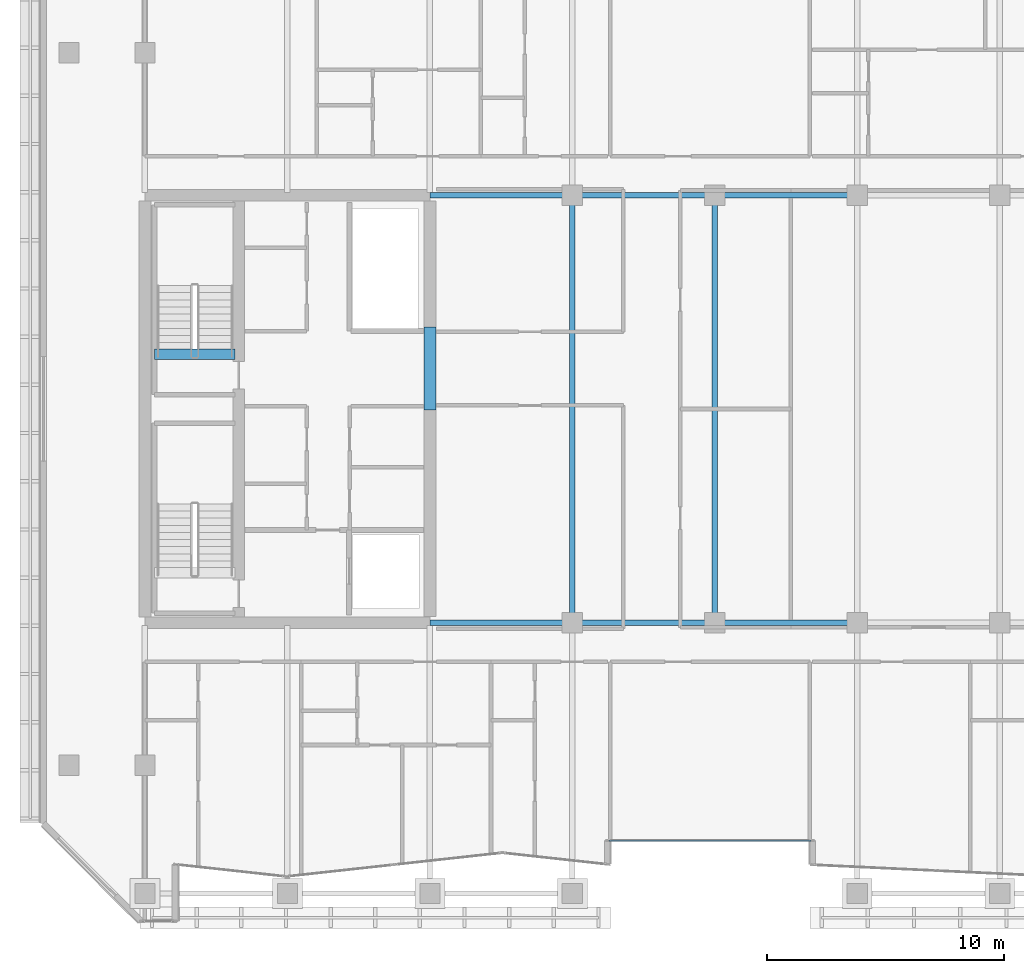
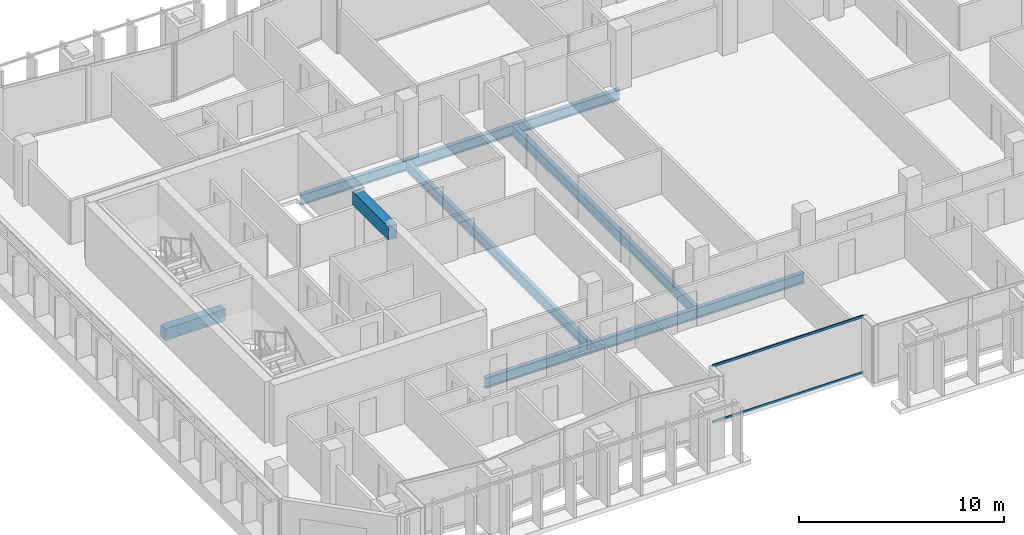
# One storey, part 4 of 29: 10 beams, 2 members, 1 element without a shape of its own.
"""IFC4 building model written with IfcOpenShell, lengths in metres."""

from ifc_helpers import new_model, si_unit, direction, frame, origin, origin_2d, place, context, subcontext, project, spatial, rectangle, hollow_rectangle, i_section, extrude, material, layer, layer_set, material_profile, profile_set, type_object, element, aggregate, save


model = new_model("IFC4")

# Units and contexts
model_context = context("Model", 3, precision=1e-05, world=origin(), true_north=direction((0.0, 1.0)))
body_context = subcontext(model_context, "Body", "Model", "MODEL_VIEW")
ifc_project = project(units=[si_unit("LENGTHUNIT", "METRE"), si_unit("AREAUNIT", "SQUARE_METRE"), si_unit("VOLUMEUNIT", "CUBIC_METRE"), si_unit("PLANEANGLEUNIT", "RADIAN"), si_unit("MASSUNIT", "GRAM", prefix="KILO")], contexts=[model_context])

# Site, building, storey
site_placement = place(None, origin())
site = spatial("IfcSite", under=ifc_project, at=site_placement, CompositionType="ELEMENT")
building_placement = place(site_placement, origin())
building = spatial("IfcBuilding", under=site, at=building_placement, Name="Tanjung Sevakor Pilgrim Tower", CompositionType="ELEMENT")
storey_placement = place(building_placement, frame((0.0, 0.0, 162.030029296875)))
storey = spatial("IfcBuildingStorey", under=building, at=storey_placement, Name="L45", CompositionType="ELEMENT", Elevation=162.030029296875)

# Beams
ifc_material_1 = material(Name="Steel S355J2", Category="steel")
ifc_material_profile_1 = material_profile(ifc_material_1, i_section(OverallWidth=0.230224609375, OverallDepth=0.6171875, WebThickness=0.01318359375, FlangeThickness=0.022216796875, FilletRadius=0.0126953125, at=origin_2d()))
ifc_profile_set_1 = profile_set([ifc_material_profile_1], Name="Steel S355J2")
beam_type_1 = type_object("IfcBeamType", Name="BM-B-G3-UB_610x229x140", PredefinedType="BEAM", material=ifc_profile_set_1)
for number, where, z_axis, x_axis, name in (
    (1, (36.0, 24.60009765625, -0.528564453125), (1.0, 0.0, 0.0), (0.0, 1.0, 0.0), "L45 Primary Floor Girder MAIN Y246-01"),
    (2, (42.0, 24.60009765625, -0.528564453125), (1.0, 0.0, 0.0), (0.0, 1.0, 0.0), "L45 Primary Floor Girder MAIN Y246-02"),
    (3, (48.0, 24.60009765625, -0.528564453125), (1.0, 0.0, 0.0), (0.0, 1.0, 0.0), "L45 Primary Floor Girder MAIN Y246-03"),
    (4, (36.0, 42.60009765625, -0.528564453125), (1.0, 0.0, 0.0), (0.0, 1.0, 0.0), "L45 Primary Floor Girder MAIN Y426-01"),
    (5, (42.0, 42.60009765625, -0.528564453125), (1.0, 0.0, 0.0), (0.0, 1.0, 0.0), "L45 Primary Floor Girder MAIN Y426-02"),
    (6, (48.0, 42.60009765625, -0.528564453125), (1.0, 0.0, 0.0), (0.0, 1.0, 0.0), "L45 Primary Floor Girder MAIN Y426-03"),
):
    element("IfcBeam", number, at=place(storey_placement, frame(where, z_axis=z_axis, x_axis=x_axis)), inside=storey, type_object=beam_type_1, Name=name, PredefinedType="BEAM", context=body_context, shape_type="SweptSolid", body=[
        extrude(i_section(OverallWidth=0.230224609375, OverallDepth=0.6171875, WebThickness=0.01318359375, FlangeThickness=0.022216796875, FilletRadius=0.0126953125, at=origin_2d()), origin(), (0.0, 0.0, 1.0), 6.0),
    ])
ifc_material_2 = material(Name="Steel S355J2", Category="steel")
ifc_material_profile_2 = material_profile(ifc_material_2, i_section(OverallWidth=0.22900390625, OverallDepth=0.6123046875, WebThickness=0.011962890625, FlangeThickness=0.01953125, FilletRadius=0.0126953125, at=origin_2d()))
ifc_profile_set_2 = profile_set([ifc_material_profile_2], Name="Steel S355J2")
beam_type_2 = type_object("IfcBeamType", Name="BM-B-G4-UB_610x229x125", PredefinedType="BEAM", material=ifc_profile_set_2)
for number, where, z_axis, x_axis, name in (
    (7, (42.0, 24.60009765625, -0.526123046875), (0.0, 1.0, 0.0), (-1.0, 0.0, 0.0), "L45 MAIN Girder 008"),
    (8, (48.0, 24.60009765625, -0.526123046875), (0.0, 1.0, 0.0), (-1.0, 0.0, 0.0), "L45 MAIN Girder 010"),
):
    element("IfcBeam", number, at=place(storey_placement, frame(where, z_axis=z_axis, x_axis=x_axis)), inside=storey, type_object=beam_type_2, Name=name, PredefinedType="BEAM", context=body_context, shape_type="SweptSolid", body=[
        extrude(i_section(OverallWidth=0.22900390625, OverallDepth=0.6123046875, WebThickness=0.011962890625, FlangeThickness=0.01953125, FilletRadius=0.0126953125, at=origin_2d()), origin(), (0.0, 0.0, 1.0), 18.0),
    ])
ifc_material_3 = material(Name="Concrete C60/75", Category="concrete")
ifc_material_profile_3 = material_profile(ifc_material_3, rectangle(XDim=0.5, YDim=0.800048828125, at=origin_2d()))
ifc_profile_set_3 = profile_set([ifc_material_profile_3], Name="Concrete C60/75")
beam_type_3 = type_object("IfcBeamType", Name="BM-B-LN2-RC-BM_500x800", PredefinedType="LINTEL", material=ifc_profile_set_3)
beam_1_placement = place(storey_placement, frame((36.0, 33.550048828125, 3.010009765625), z_axis=(0.0, 1.0, 0.0), x_axis=(-1.0, 0.0, 0.0)))
element("IfcBeam", 9, at=beam_1_placement, inside=storey, type_object=beam_type_3, Name="L45 W Core Coupling Lintel", PredefinedType="LINTEL", context=body_context, shape_type="SweptSolid", body=[
    extrude(rectangle(XDim=0.5, YDim=0.800048828125, at=origin_2d()), origin(), (0.0, 0.0, 1.0), 3.5),
])
ifc_material_4 = material(Name="Concrete C60/75", Category="concrete")
ifc_material_profile_4 = material_profile(ifc_material_4, rectangle(XDim=0.449951171875, YDim=0.699951171875, at=origin_2d()))
ifc_profile_set_4 = profile_set([ifc_material_profile_4], Name="Concrete C60/75")
beam_type_4 = type_object("IfcBeamType", Name="BM-B-LN3-RC-BM_450x700", PredefinedType="LINTEL", material=ifc_profile_set_4)
beam_2_placement = place(storey_placement, frame((24.39990234375, 35.89990234375, -0.35009765625), z_axis=(1.0, 0.0, 0.0), x_axis=(0.0, 1.0, 0.0)))
element("IfcBeam", 10, at=beam_2_placement, inside=storey, type_object=beam_type_4, Name="L45 TS-W2 Stair Threshold Beam", PredefinedType="LINTEL", context=body_context, shape_type="SweptSolid", body=[
    extrude(rectangle(XDim=0.449951171875, YDim=0.699951171875, at=origin_2d()), origin(), (0.0, 0.0, 1.0), 3.400146484375),
])

# Curtain wall, members
ifc_material_5 = material(Name="Aluminium 6063-T6 and Low-E Glass", Category="aluminium")
ifc_layer = layer(ifc_material_5, 0.179931640625)
ifc_layer_set = layer_set([ifc_layer], Name="CW-SYS-CLEFT")
curtain_wall_type = type_object("IfcCurtainWallType", Name="CW-SYS-CLEFT", PredefinedType="NOTDEFINED", material=ifc_layer_set)
curtain_wall_placement = place(storey_placement, origin())
curtain_wall = element("IfcCurtainWall", 11, at=curtain_wall_placement, inside=storey, type_object=curtain_wall_type, Name="L45 Curtain Wall CW-CLF-L45-7", PredefinedType="NOTDEFINED")
ifc_material_6 = material(Name="Aluminium 6063-T6", Category="aluminium")
ifc_material_profile_5 = material_profile(ifc_material_6, hollow_rectangle(XDim=0.06494140625, YDim=0.139892578125, WallThickness=0.00390625, at=origin_2d()))
ifc_profile_set_5 = profile_set([ifc_material_profile_5], Name="Aluminium 6063-T6")
member_type = type_object("IfcMemberType", Name="TYPE-CWT-1", PredefinedType="USERDEFINED", material=ifc_profile_set_5)
member_1_placement = place(storey_placement, frame((43.550048828125, 15.425048828125, 0.032470703125), z_axis=(1.0, 0.0, 0.0), x_axis=(0.0, 1.0, 0.0)))
member_1 = element("IfcMember", 12, at=member_1_placement, type_object=member_type, Name="CW-CLF transom 1.1", ObjectType="TRANSOM", PredefinedType="USERDEFINED", context=body_context, shape_type="SweptSolid", body=[
    extrude(hollow_rectangle(XDim=0.06494140625, YDim=0.139892578125, WallThickness=0.00390625, at=origin_2d()), origin(), (0.0, 0.0, 1.0), 8.5),
])
member_2_placement = place(storey_placement, frame((43.550048828125, 15.425048828125, 3.37744140625), z_axis=(1.0, 0.0, 0.0), x_axis=(0.0, 1.0, 0.0)))
member_2 = element("IfcMember", 13, at=member_2_placement, type_object=member_type, Name="CW-CLF transom 1.2", ObjectType="TRANSOM", PredefinedType="USERDEFINED", context=body_context, shape_type="SweptSolid", body=[
    extrude(hollow_rectangle(XDim=0.06494140625, YDim=0.139892578125, WallThickness=0.00390625, at=origin_2d()), origin(), (0.0, 0.0, 1.0), 8.5),
])
aggregate(curtain_wall, [member_1, member_2])

save(model, "model.ifc")
